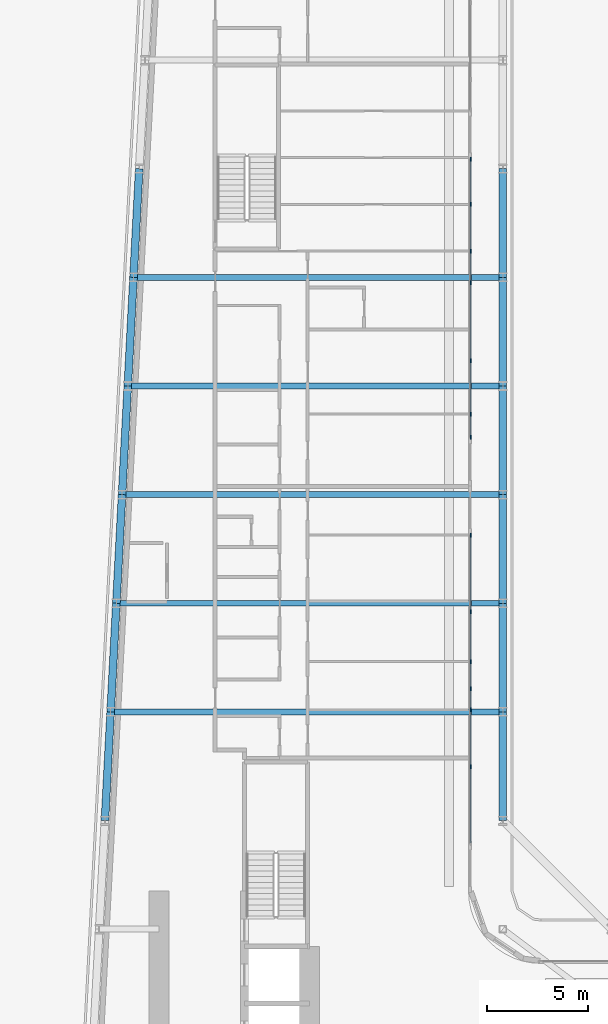
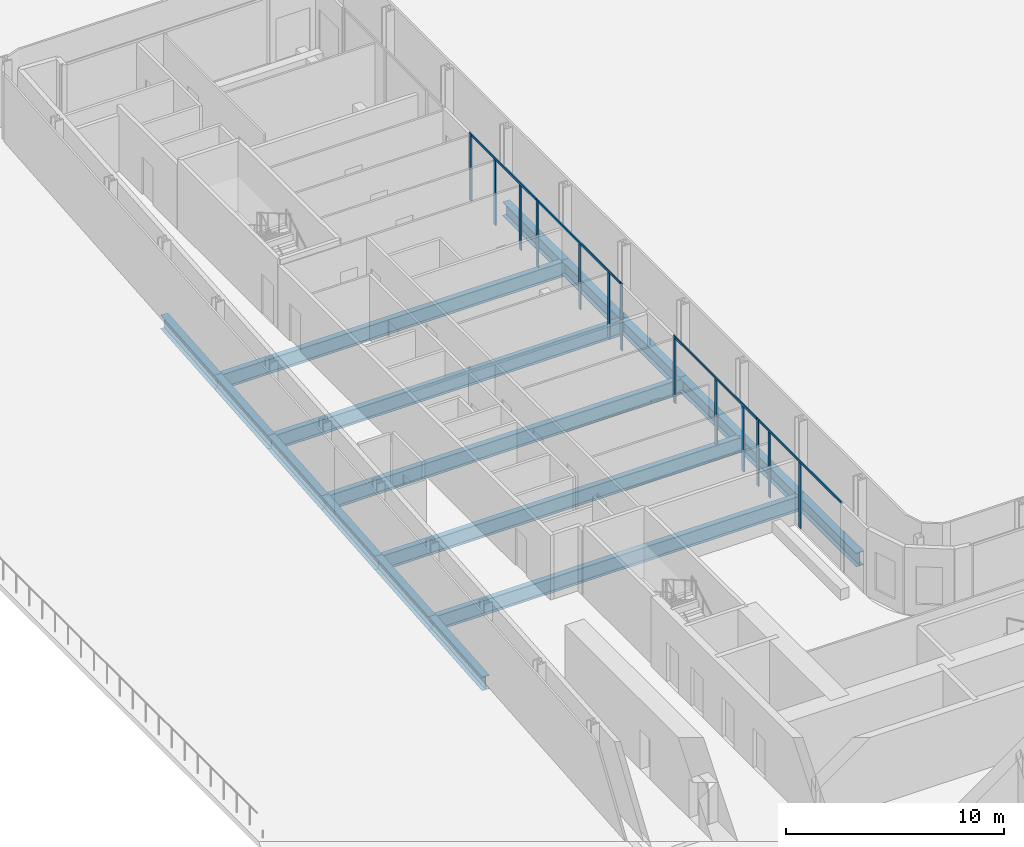
# One storey, part 7 of 27: 17 beams, 17 members, 4 elements without a shape of their own.
"""IFC4 building model written with IfcOpenShell, lengths in metres."""

from ifc_helpers import new_model, si_unit, direction, frame, origin, origin_2d, place, context, subcontext, project, spatial, rectangle, i_section, extrude, material, layer, layer_set, material_profile, profile_set, type_object, element, aggregate, save


model = new_model("IFC4")

# Units and contexts
model_context = context("Model", 3, precision=1e-05, world=origin(), true_north=direction((0.0, 1.0)))
body_context = subcontext(model_context, "Body", "Model", "MODEL_VIEW")
ifc_project = project(units=[si_unit("LENGTHUNIT", "METRE"), si_unit("AREAUNIT", "SQUARE_METRE"), si_unit("VOLUMEUNIT", "CUBIC_METRE"), si_unit("PLANEANGLEUNIT", "RADIAN"), si_unit("MASSUNIT", "GRAM", prefix="KILO")], contexts=[model_context])

# Site, building, storey
site_placement = place(None, origin())
site = spatial("IfcSite", under=ifc_project, at=site_placement, CompositionType="ELEMENT")
building_placement = place(site_placement, origin())
building = spatial("IfcBuilding", under=site, at=building_placement, Name="Kheshtan School and Residences Tower", CompositionType="ELEMENT")
storey_placement = place(building_placement, frame((0.0, 0.0, 30.5)))
storey = spatial("IfcBuildingStorey", under=building, at=storey_placement, Name="L06", CompositionType="ELEMENT", Elevation=30.5)

# Beams
ifc_material_1 = material(Name="Steel ASTM A992 Grade 50", Category="steel")
ifc_material_profile_1 = material_profile(ifc_material_1, i_section(OverallWidth=0.2919921875, OverallDepth=0.8349609375, WebThickness=0.013916015625, FlangeThickness=0.018798828125, FilletRadius=0.016845703125, at=origin_2d()), Name="W840x176")
ifc_profile_set_1 = profile_set([ifc_material_profile_1], Name="Steel ASTM A992 Grade 50")
beam_type_1 = type_object("IfcBeamType", Name="Beam FB8 W840x176 ASTM A992 Grade 50", PredefinedType="BEAM", material=ifc_profile_set_1)
beam_1_placement = place(storey_placement, frame((47.60009765625, 72.60009765625, -0.717529296875), z_axis=(-1.0, 0.0, 0.0), x_axis=(0.0, -1.0, 0.0)))
element("IfcBeam", 1, at=beam_1_placement, inside=storey, type_object=beam_type_1, Name="Floor beam C087", PredefinedType="BEAM", context=body_context, shape_type="SweptSolid", body=[
    extrude(i_section(OverallWidth=0.2919921875, OverallDepth=0.8349609375, WebThickness=0.013916015625, FlangeThickness=0.018798828125, FilletRadius=0.016845703125, at=origin_2d()), origin(), (0.0, 0.0, 1.0), 18.64208984375),
])
beam_2_placement = place(storey_placement, frame((47.60009765625, 61.800048828125, -0.717529296875), z_axis=(-1.0, 0.0, 0.0), x_axis=(0.0, -1.0, 0.0)))
element("IfcBeam", 2, at=beam_2_placement, inside=storey, type_object=beam_type_1, Name="Floor beam C083", PredefinedType="BEAM", context=body_context, shape_type="SweptSolid", body=[
    extrude(i_section(OverallWidth=0.2919921875, OverallDepth=0.8349609375, WebThickness=0.013916015625, FlangeThickness=0.018798828125, FilletRadius=0.016845703125, at=origin_2d()), origin(), (0.0, 0.0, 1.0), 19.210205078125),
])
beam_3_placement = place(storey_placement, frame((28.10595703125, 56.39990234375, -0.717529296875), z_axis=(1.0, 0.0, 0.0), x_axis=(0.0, 1.0, 0.0)))
element("IfcBeam", 3, at=beam_3_placement, inside=storey, type_object=beam_type_1, Name="Floor beam C080", PredefinedType="BEAM", context=body_context, shape_type="SweptSolid", body=[
    extrude(i_section(OverallWidth=0.2919921875, OverallDepth=0.8349609375, WebThickness=0.013916015625, FlangeThickness=0.018798828125, FilletRadius=0.016845703125, at=origin_2d()), origin(), (0.0, 0.0, 1.0), 19.494140625),
])
beam_4_placement = place(storey_placement, frame((28.674072265625, 67.199951171875, -0.717529296875), z_axis=(1.0, 0.0, 0.0), x_axis=(0.0, 1.0, 0.0)))
element("IfcBeam", 4, at=beam_4_placement, inside=storey, type_object=beam_type_1, Name="Floor beam C084", PredefinedType="BEAM", context=body_context, shape_type="SweptSolid", body=[
    extrude(i_section(OverallWidth=0.2919921875, OverallDepth=0.8349609375, WebThickness=0.013916015625, FlangeThickness=0.018798828125, FilletRadius=0.016845703125, at=origin_2d()), origin(), (0.0, 0.0, 1.0), 18.926025390625),
])
beam_5_placement = place(storey_placement, frame((29.242919921875, 78.0, -0.717529296875), z_axis=(1.0, 0.0, 0.0), x_axis=(0.0, 1.0, 0.0)))
element("IfcBeam", 5, at=beam_5_placement, inside=storey, type_object=beam_type_1, Name="Floor beam C088", PredefinedType="BEAM", context=body_context, shape_type="SweptSolid", body=[
    extrude(i_section(OverallWidth=0.2919921875, OverallDepth=0.8349609375, WebThickness=0.013916015625, FlangeThickness=0.018798828125, FilletRadius=0.016845703125, at=origin_2d()), origin(), (0.0, 0.0, 1.0), 18.357177734375),
])
ifc_material_profile_2 = material_profile(ifc_material_1, i_section(OverallWidth=0.381103515625, OverallDepth=0.77294921875, WebThickness=0.0166015625, FlangeThickness=0.027099609375, FilletRadius=0.023193359375, at=origin_2d()), Name="W760x257")
ifc_profile_set_2 = profile_set([ifc_material_profile_2], Name="Steel ASTM A992 Grade 50")
beam_type_2 = type_object("IfcBeamType", Name="Beam SP6 W760x257 ASTM A992 Grade 50", PredefinedType="BEAM", material=ifc_profile_set_2)
for number, where, z_axis, x_axis, name in (
    (6, (47.60009765625, 83.39990234375, -0.6865234375), (0.0, -1.0, 0.0), (1.0, 0.0, 0.0), "Spandrel beam C091-C089"),
    (7, (47.60009765625, 78.0, -0.6865234375), (0.0, -1.0, 0.0), (1.0, 0.0, 0.0), "Spandrel beam C089-C087"),
):
    element("IfcBeam", number, at=place(storey_placement, frame(where, z_axis=z_axis, x_axis=x_axis)), inside=storey, type_object=beam_type_2, Name=name, PredefinedType="BEAM", context=body_context, shape_type="SweptSolid", body=[
        extrude(i_section(OverallWidth=0.381103515625, OverallDepth=0.77294921875, WebThickness=0.0166015625, FlangeThickness=0.027099609375, FilletRadius=0.023193359375, at=origin_2d()), origin(), (0.0, 0.0, 1.0), 5.39990234375),
    ])
beam_6_placement = place(storey_placement, frame((47.60009765625, 72.60009765625, -0.6865234375), z_axis=(0.0, -1.0, 0.0), x_axis=(1.0, 0.0, 0.0)))
element("IfcBeam", 8, at=beam_6_placement, inside=storey, type_object=beam_type_2, Name="Spandrel beam C087-C085", PredefinedType="BEAM", context=body_context, shape_type="SweptSolid", body=[
    extrude(i_section(OverallWidth=0.381103515625, OverallDepth=0.77294921875, WebThickness=0.0166015625, FlangeThickness=0.027099609375, FilletRadius=0.023193359375, at=origin_2d()), origin(), (0.0, 0.0, 1.0), 5.400146484375),
])
beam_7_placement = place(storey_placement, frame((47.60009765625, 67.199951171875, -0.6865234375), z_axis=(0.0, -1.0, 0.0), x_axis=(1.0, 0.0, 0.0)))
element("IfcBeam", 9, at=beam_7_placement, inside=storey, type_object=beam_type_2, Name="Spandrel beam C085-C083", PredefinedType="BEAM", context=body_context, shape_type="SweptSolid", body=[
    extrude(i_section(OverallWidth=0.381103515625, OverallDepth=0.77294921875, WebThickness=0.0166015625, FlangeThickness=0.027099609375, FilletRadius=0.023193359375, at=origin_2d()), origin(), (0.0, 0.0, 1.0), 5.39990234375),
])
beam_8_placement = place(storey_placement, frame((47.60009765625, 61.800048828125, -0.6865234375), z_axis=(0.0, -1.0, 0.0), x_axis=(1.0, 0.0, 0.0)))
element("IfcBeam", 10, at=beam_8_placement, inside=storey, type_object=beam_type_2, Name="Spandrel beam C083-C081", PredefinedType="BEAM", context=body_context, shape_type="SweptSolid", body=[
    extrude(i_section(OverallWidth=0.381103515625, OverallDepth=0.77294921875, WebThickness=0.0166015625, FlangeThickness=0.027099609375, FilletRadius=0.023193359375, at=origin_2d()), origin(), (0.0, 0.0, 1.0), 5.400146484375),
])
beam_9_placement = place(storey_placement, frame((47.60009765625, 56.39990234375, -0.6865234375), z_axis=(0.0, -1.0, 0.0), x_axis=(1.0, 0.0, 0.0)))
element("IfcBeam", 11, at=beam_9_placement, inside=storey, type_object=beam_type_2, Name="Spandrel beam C081-C079", PredefinedType="BEAM", context=body_context, shape_type="SweptSolid", body=[
    extrude(i_section(OverallWidth=0.381103515625, OverallDepth=0.77294921875, WebThickness=0.0166015625, FlangeThickness=0.027099609375, FilletRadius=0.023193359375, at=origin_2d()), origin(), (0.0, 0.0, 1.0), 5.39990234375),
])
beam_10_placement = place(storey_placement, frame((27.822021484375, 51.0, -0.6865234375), z_axis=(0.05250906864, 0.998620447272, 0.0), x_axis=(-0.998620447272, 0.05250906864, 0.0)))
element("IfcBeam", 12, at=beam_10_placement, inside=storey, type_object=beam_type_2, Name="Spandrel beam C078-C080", PredefinedType="BEAM", context=body_context, shape_type="SweptSolid", body=[
    extrude(i_section(OverallWidth=0.381103515625, OverallDepth=0.77294921875, WebThickness=0.0166015625, FlangeThickness=0.027099609375, FilletRadius=0.023193359375, at=origin_2d()), origin(), (0.0, 0.0, 1.0), 5.407470703125),
])
beam_11_placement = place(storey_placement, frame((28.10595703125, 56.39990234375, -0.6865234375), z_axis=(0.05250670125, 0.998620571751, 0.0), x_axis=(-0.998620571751, 0.05250670125, 0.0)))
element("IfcBeam", 13, at=beam_11_placement, inside=storey, type_object=beam_type_2, Name="Spandrel beam C080-C082", PredefinedType="BEAM", context=body_context, shape_type="SweptSolid", body=[
    extrude(i_section(OverallWidth=0.381103515625, OverallDepth=0.77294921875, WebThickness=0.0166015625, FlangeThickness=0.027099609375, FilletRadius=0.023193359375, at=origin_2d()), origin(), (0.0, 0.0, 1.0), 5.40771484375),
])
beam_12_placement = place(storey_placement, frame((28.389892578125, 61.800048828125, -0.6865234375), z_axis=(0.052554093665, 0.998618078766, 0.0), x_axis=(-0.998618078766, 0.052554093665, 0.0)))
element("IfcBeam", 14, at=beam_12_placement, inside=storey, type_object=beam_type_2, Name="Spandrel beam C082-C084", PredefinedType="BEAM", context=body_context, shape_type="SweptSolid", body=[
    extrude(i_section(OverallWidth=0.381103515625, OverallDepth=0.77294921875, WebThickness=0.0166015625, FlangeThickness=0.027099609375, FilletRadius=0.023193359375, at=origin_2d()), origin(), (0.0, 0.0, 1.0), 5.407470703125),
])
beam_13_placement = place(storey_placement, frame((28.674072265625, 67.199951171875, -0.6865234375), z_axis=(0.05250670125, 0.998620571751, 0.0), x_axis=(-0.998620571751, 0.05250670125, 0.0)))
element("IfcBeam", 15, at=beam_13_placement, inside=storey, type_object=beam_type_2, Name="Spandrel beam C084-C086", PredefinedType="BEAM", context=body_context, shape_type="SweptSolid", body=[
    extrude(i_section(OverallWidth=0.381103515625, OverallDepth=0.77294921875, WebThickness=0.0166015625, FlangeThickness=0.027099609375, FilletRadius=0.023193359375, at=origin_2d()), origin(), (0.0, 0.0, 1.0), 5.40771484375),
])
for number, where, z_axis, x_axis, name in (
    (16, (28.9580078125, 72.60009765625, -0.6865234375), (0.052689166816, 0.998610961136, 0.0), (-0.998610961136, 0.052689166816, 0.0), "Spandrel beam C086-C088"),
    (17, (29.242919921875, 78.0, -0.6865234375), (0.052554093665, 0.998618078766, 0.0), (-0.998618078766, 0.052554093665, 0.0), "Spandrel beam C088-C090"),
):
    element("IfcBeam", number, at=place(storey_placement, frame(where, z_axis=z_axis, x_axis=x_axis)), inside=storey, type_object=beam_type_2, Name=name, PredefinedType="BEAM", context=body_context, shape_type="SweptSolid", body=[
        extrude(i_section(OverallWidth=0.381103515625, OverallDepth=0.77294921875, WebThickness=0.0166015625, FlangeThickness=0.027099609375, FilletRadius=0.023193359375, at=origin_2d()), origin(), (0.0, 0.0, 1.0), 5.407470703125),
    ])

# Curtain wall, members
ifc_material_2 = material(Name="Clear low-e glass in thermally broken aluminium frame", Category="aluminium")
ifc_layer = layer(ifc_material_2, 0.199951171875)
ifc_layer_set = layer_set([ifc_layer], Name="Curtain wall CW-L")
curtain_wall_type = type_object("IfcCurtainWallType", Name="Curtain wall CW-L", PredefinedType="NOTDEFINED", material=ifc_layer_set)
curtain_wall_1_placement = place(storey_placement, origin())
curtain_wall_1 = element("IfcCurtainWall", 18, at=curtain_wall_1_placement, inside=storey, type_object=curtain_wall_type, Name="Curtain wall CWL8b", PredefinedType="NOTDEFINED")
ifc_material_3 = material(Name="Thermally broken aluminium, dark bronze anodised", Category="aluminium")
ifc_material_profile_3 = material_profile(ifc_material_3, rectangle(XDim=0.06005859375, YDim=0.199951171875, at=origin_2d()), Name="CW-L mullion 60x200")
ifc_profile_set_3 = profile_set([ifc_material_profile_3], Name="Thermally broken aluminium, dark bronze anodised")
member_type_1 = type_object("IfcMemberType", Name="CW-L mullion 60x200", PredefinedType="MULLION", material=ifc_profile_set_3)
member_1_placement = place(storey_placement, frame((46.0, 83.8759765625, 0.0), z_axis=(0.0, 0.0, 1.0), x_axis=(1.0, 0.0, 0.0)))
member_1 = element("IfcMember", 19, at=member_1_placement, type_object=member_type_1, Name="CWL8b mullion 1", PredefinedType="MULLION", context=body_context, shape_type="SweptSolid", body=[
    extrude(rectangle(XDim=0.06005859375, YDim=0.199951171875, at=origin_2d()), origin(), (0.0, 0.0, 1.0), 3.75),
])
member_2_placement = place(storey_placement, frame((46.0, 81.625, 0.0), z_axis=(0.0, 0.0, 1.0), x_axis=(1.0, 0.0, 0.0)))
member_2 = element("IfcMember", 20, at=member_2_placement, type_object=member_type_1, Name="CWL8b mullion 2", PredefinedType="MULLION", context=body_context, shape_type="SweptSolid", body=[
    extrude(rectangle(XDim=0.06005859375, YDim=0.199951171875, at=origin_2d()), origin(), (0.0, 0.0, 1.0), 3.6298828125),
])
member_3_placement = place(storey_placement, frame((46.0, 79.300048828125, 0.0), z_axis=(0.0, 0.0, 1.0), x_axis=(1.0, 0.0, 0.0)))
member_3 = element("IfcMember", 21, at=member_3_placement, type_object=member_type_1, Name="CWL8b mullion 3", PredefinedType="MULLION", context=body_context, shape_type="SweptSolid", body=[
    extrude(rectangle(XDim=0.06005859375, YDim=0.199951171875, at=origin_2d()), origin(), (0.0, 0.0, 1.0), 3.6298828125),
])
member_4_placement = place(storey_placement, frame((46.0, 77.741943359375, 0.0), z_axis=(0.0, 0.0, 1.0), x_axis=(1.0, 0.0, 0.0)))
member_4 = element("IfcMember", 22, at=member_4_placement, type_object=member_type_1, Name="CWL8b mullion 4", PredefinedType="MULLION", context=body_context, shape_type="SweptSolid", body=[
    extrude(rectangle(XDim=0.06005859375, YDim=0.199951171875, at=origin_2d()), origin(), (0.0, 0.0, 1.0), 3.75),
])

curtain_wall_2_placement = place(storey_placement, origin())
curtain_wall_2 = element("IfcCurtainWall", 23, at=curtain_wall_2_placement, inside=storey, type_object=curtain_wall_type, Name="Curtain wall CWL8c", PredefinedType="NOTDEFINED")
member_5_placement = place(storey_placement, frame((46.0, 73.864990234375, 0.0), z_axis=(0.0, 0.0, 1.0), x_axis=(1.0, 0.0, 0.0)))
member_5 = element("IfcMember", 24, at=member_5_placement, type_object=member_type_1, Name="CWL8c mullion 2", PredefinedType="MULLION", context=body_context, shape_type="SweptSolid", body=[
    extrude(rectangle(XDim=0.06005859375, YDim=0.199951171875, at=origin_2d()), origin(), (0.0, 0.0, 1.0), 3.6298828125),
])
member_6_placement = place(storey_placement, frame((46.0, 71.199951171875, 0.0), z_axis=(0.0, 0.0, 1.0), x_axis=(1.0, 0.0, 0.0)))
member_6 = element("IfcMember", 25, at=member_6_placement, type_object=member_type_1, Name="CWL8c mullion 3", PredefinedType="MULLION", context=body_context, shape_type="SweptSolid", body=[
    extrude(rectangle(XDim=0.06005859375, YDim=0.199951171875, at=origin_2d()), origin(), (0.0, 0.0, 1.0), 3.6298828125),
])
member_7_placement = place(storey_placement, frame((46.0, 70.048095703125, 0.0), z_axis=(0.0, 0.0, 1.0), x_axis=(1.0, 0.0, 0.0)))
member_7 = element("IfcMember", 26, at=member_7_placement, type_object=member_type_1, Name="CWL8c mullion 4", PredefinedType="MULLION", context=body_context, shape_type="SweptSolid", body=[
    extrude(rectangle(XDim=0.06005859375, YDim=0.199951171875, at=origin_2d()), origin(), (0.0, 0.0, 1.0), 3.75),
])

curtain_wall_3_placement = place(storey_placement, origin())
curtain_wall_3 = element("IfcCurtainWall", 27, at=curtain_wall_3_placement, inside=storey, type_object=curtain_wall_type, Name="Curtain wall CWL8c", PredefinedType="NOTDEFINED")
member_8_placement = place(storey_placement, frame((46.0, 65.18798828125, 0.0), z_axis=(0.0, 0.0, 1.0), x_axis=(1.0, 0.0, 0.0)))
member_8 = element("IfcMember", 28, at=member_8_placement, type_object=member_type_1, Name="CWL8c mullion 1", PredefinedType="MULLION", context=body_context, shape_type="SweptSolid", body=[
    extrude(rectangle(XDim=0.06005859375, YDim=0.199951171875, at=origin_2d()), origin(), (0.0, 0.0, 1.0), 3.75),
])
member_9_placement = place(storey_placement, frame((46.0, 61.37109375, 0.0), z_axis=(0.0, 0.0, 1.0), x_axis=(1.0, 0.0, 0.0)))
member_9 = element("IfcMember", 29, at=member_9_placement, type_object=member_type_1, Name="CWL8c mullion 2", PredefinedType="MULLION", context=body_context, shape_type="SweptSolid", body=[
    extrude(rectangle(XDim=0.06005859375, YDim=0.199951171875, at=origin_2d()), origin(), (0.0, 0.0, 1.0), 3.6298828125),
])
member_10_placement = place(storey_placement, frame((46.0, 58.89990234375, 0.0), z_axis=(0.0, 0.0, 1.0), x_axis=(1.0, 0.0, 0.0)))
member_10 = element("IfcMember", 30, at=member_10_placement, type_object=member_type_1, Name="CWL8c mullion 3", PredefinedType="MULLION", context=body_context, shape_type="SweptSolid", body=[
    extrude(rectangle(XDim=0.06005859375, YDim=0.199951171875, at=origin_2d()), origin(), (0.0, 0.0, 1.0), 3.6298828125),
])
member_11_placement = place(storey_placement, frame((46.0, 57.553955078125, 0.0), z_axis=(0.0, 0.0, 1.0), x_axis=(1.0, 0.0, 0.0)))
member_11 = element("IfcMember", 31, at=member_11_placement, type_object=member_type_1, Name="CWL8c mullion 4", PredefinedType="MULLION", context=body_context, shape_type="SweptSolid", body=[
    extrude(rectangle(XDim=0.06005859375, YDim=0.199951171875, at=origin_2d()), origin(), (0.0, 0.0, 1.0), 3.75),
])

curtain_wall_4_placement = place(storey_placement, origin())
curtain_wall_4 = element("IfcCurtainWall", 32, at=curtain_wall_4_placement, inside=storey, type_object=curtain_wall_type, Name="Curtain wall CWL8c", PredefinedType="NOTDEFINED")
member_12_placement = place(storey_placement, frame((46.0, 56.5, 0.0), z_axis=(0.0, 0.0, 1.0), x_axis=(1.0, 0.0, 0.0)))
member_12 = element("IfcMember", 33, at=member_12_placement, type_object=member_type_1, Name="CWL8c mullion 2", PredefinedType="MULLION", context=body_context, shape_type="SweptSolid", body=[
    extrude(rectangle(XDim=0.06005859375, YDim=0.199951171875, at=origin_2d()), origin(), (0.0, 0.0, 1.0), 3.6298828125),
])
member_13_placement = place(storey_placement, frame((46.0, 53.677001953125, 0.0), z_axis=(0.0, 0.0, 1.0), x_axis=(1.0, 0.0, 0.0)))
member_13 = element("IfcMember", 34, at=member_13_placement, type_object=member_type_1, Name="CWL8c mullion 3", PredefinedType="MULLION", context=body_context, shape_type="SweptSolid", body=[
    extrude(rectangle(XDim=0.06005859375, YDim=0.199951171875, at=origin_2d()), origin(), (0.0, 0.0, 1.0), 3.6298828125),
])

# Member
ifc_material_profile_4 = material_profile(ifc_material_3, rectangle(XDim=0.06005859375, YDim=0.1201171875, at=origin_2d()), Name="CW-L transom 60x120")
ifc_profile_set_4 = profile_set([ifc_material_profile_4], Name="Thermally broken aluminium, dark bronze anodised")
member_type_2 = type_object("IfcMemberType", Name="CW-L transom 60x120", PredefinedType="USERDEFINED", material=ifc_profile_set_4)
member_14_placement = place(storey_placement, frame((46.0, 83.845947265625, 3.68994140625), z_axis=(0.0, -1.0, 0.0), x_axis=(1.0, 0.0, 0.0)))
member_14 = element("IfcMember", 35, at=member_14_placement, type_object=member_type_2, Name="CWL8b transom 1", ObjectType="TRANSOM", PredefinedType="USERDEFINED", context=body_context, shape_type="SweptSolid", body=[
    extrude(rectangle(XDim=0.06005859375, YDim=0.1201171875, at=origin_2d()), origin(), (0.0, 0.0, 1.0), 6.073974609375),
])

aggregate(curtain_wall_1, [member_1, member_2, member_3, member_4, member_14])

member_15_placement = place(storey_placement, frame((46.0, 77.7119140625, 3.68994140625), z_axis=(0.0, -1.0, 0.0), x_axis=(1.0, 0.0, 0.0)))
member_15 = element("IfcMember", 36, at=member_15_placement, type_object=member_type_2, Name="CWL8c transom 1", ObjectType="TRANSOM", PredefinedType="USERDEFINED", context=body_context, shape_type="SweptSolid", body=[
    extrude(rectangle(XDim=0.06005859375, YDim=0.1201171875, at=origin_2d()), origin(), (0.0, 0.0, 1.0), 7.634033203125),
])

aggregate(curtain_wall_2, [member_5, member_6, member_7, member_15])

member_16_placement = place(storey_placement, frame((46.0, 65.157958984375, 3.68994140625), z_axis=(0.0, -1.0, 0.0), x_axis=(1.0, 0.0, 0.0)))
member_16 = element("IfcMember", 37, at=member_16_placement, type_object=member_type_2, Name="CWL8c transom 1", ObjectType="TRANSOM", PredefinedType="USERDEFINED", context=body_context, shape_type="SweptSolid", body=[
    extrude(rectangle(XDim=0.06005859375, YDim=0.1201171875, at=origin_2d()), origin(), (0.0, 0.0, 1.0), 7.573974609375),
])

aggregate(curtain_wall_3, [member_8, member_9, member_10, member_11, member_16])

member_17_placement = place(storey_placement, frame((46.0, 57.52392578125, 3.68994140625), z_axis=(0.0, -1.0, 0.0), x_axis=(1.0, 0.0, 0.0)))
member_17 = element("IfcMember", 38, at=member_17_placement, type_object=member_type_2, Name="CWL8c transom 1", ObjectType="TRANSOM", PredefinedType="USERDEFINED", context=body_context, shape_type="SweptSolid", body=[
    extrude(rectangle(XDim=0.06005859375, YDim=0.1201171875, at=origin_2d()), origin(), (0.0, 0.0, 1.0), 7.634033203125),
])

aggregate(curtain_wall_4, [member_12, member_13, member_17])

save(model, "model.ifc")
